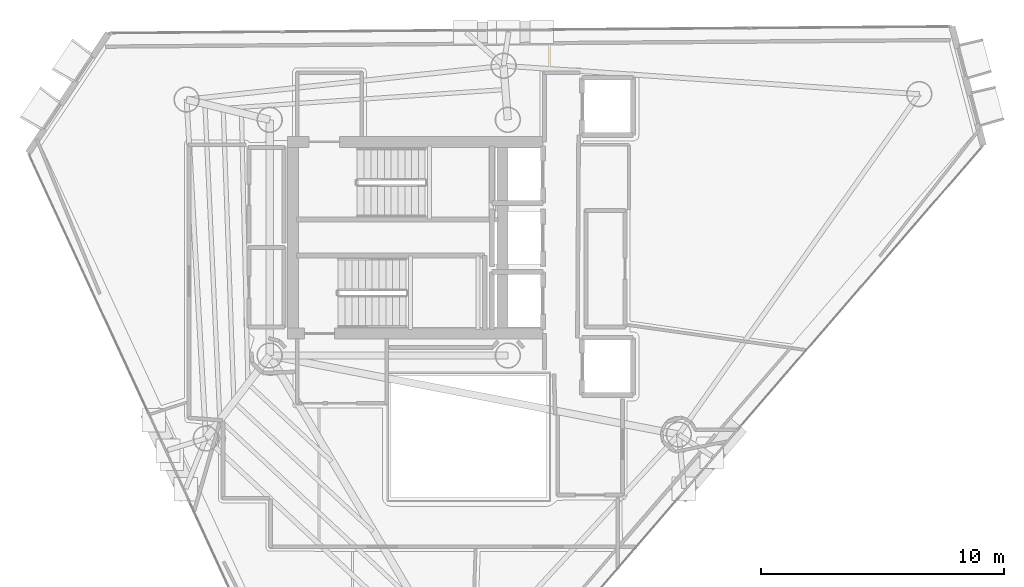
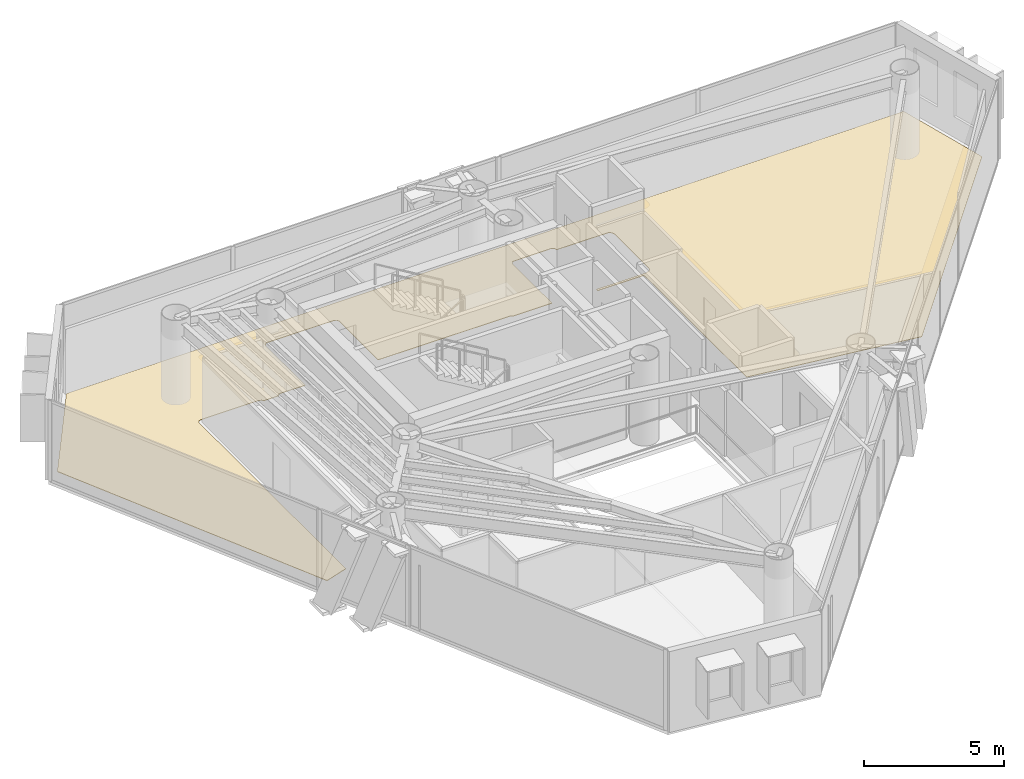
# One storey, part 20 of 21: 1 covering.
"""IFC4 building model written with IfcOpenShell, lengths in metres."""

from ifc_helpers import new_model, si_unit, direction, frame, origin, place, context, subcontext, project, spatial, polyline, outline, extrude, material, layer, layer_set, type_object, element, save


model = new_model("IFC4")

# Units and contexts
model_context = context("Model", 3, precision=1e-05, world=origin(), true_north=direction((0.0, 1.0)))
body_context = subcontext(model_context, "Body", "Model", "MODEL_VIEW")
ifc_project = project(units=[si_unit("LENGTHUNIT", "METRE"), si_unit("AREAUNIT", "SQUARE_METRE"), si_unit("VOLUMEUNIT", "CUBIC_METRE"), si_unit("PLANEANGLEUNIT", "RADIAN"), si_unit("MASSUNIT", "GRAM", prefix="KILO")], contexts=[model_context])

# Site, building, storey
site_placement = place(None, origin())
site = spatial("IfcSite", under=ifc_project, at=site_placement, CompositionType="ELEMENT")
building_placement = place(site_placement, origin())
building = spatial("IfcBuilding", under=site, at=building_placement, Name="Qianvela Tower", CompositionType="ELEMENT")
storey_placement = place(building_placement, frame((0.0, 0.0, 253.800048828125)))
storey = spatial("IfcBuildingStorey", under=building, at=storey_placement, Name="L65", CompositionType="ELEMENT", Elevation=253.800048828125)

# Covering
ifc_material = material(Name="Engineered Acoustic Oak Timber Flooring", Category="wood")
ifc_layer = layer(ifc_material, 0.02001953125)
ifc_layer_set = layer_set([ifc_layer], Name="Engineered Acoustic Oak Timber Flooring")
covering_type = type_object("IfcCoveringType", Name="COV-FLOOR-OAK-20", PredefinedType="FLOORING", material=ifc_layer_set)
covering_placement = place(storey_placement, origin())
element("IfcCovering", 1, at=covering_placement, inside=storey, type_object=covering_type, Name="L65 Finish Flooring Print Copy Kiosk L65-04", PredefinedType="FLOORING", context=body_context, shape_type="SweptSolid", body=[
    extrude(outline(polyline([(25.162841796875, 32.680419921875), (25.15576171875, 32.677001953125), (25.14892578125, 32.673095703125), (25.142578125, 32.66845703125), (25.136962890625, 32.6630859375), (25.131591796875, 32.6572265625), (25.126953125, 32.65087890625), (25.122802734375, 32.644287109375), (25.119384765625, 32.63720703125), (25.09619140625, 32.58056640625), (25.093505859375, 32.5732421875), (25.091552734375, 32.565673828125), (25.09033203125, 32.557861328125), (25.090087890625, 32.550048828125), (25.090087890625, 22.095947265625), (24.134765625, 21.78564453125), (19.19384765625, 32.478759765625), (21.895751953125, 36.512451171875), (56.55029296875, 36.782958984375), (57.5625, 32.9453125), (50.1044921875, 24.319580078125), (43.429931640625, 25.266845703125), (43.429931640625, 32.5), (43.4296875, 32.5078125), (43.428466796875, 32.515625), (43.426513671875, 32.523193359375), (43.423828125, 32.530517578125), (43.420654296875, 32.53759765625), (43.41650390625, 32.54443359375), (43.411865234375, 32.55078125), (43.406494140625, 32.556640625), (43.40087890625, 32.561767578125), (43.394287109375, 32.56640625), (43.3876953125, 32.570556640625), (43.380615234375, 32.573974609375), (43.373291015625, 32.57666015625), (43.365478515625, 32.57861328125), (43.35791015625, 32.57958984375), (43.35009765625, 32.580078125), (41.52001953125, 32.580078125), (41.52001953125, 32.679931640625), (43.580078125, 32.679931640625), (43.587158203125, 32.680419921875), (43.593994140625, 32.68115234375), (43.60107421875, 32.682861328125), (43.607666015625, 32.684814453125), (43.6142578125, 32.687744140625), (43.722412109375, 32.739013671875), (43.729248046875, 32.74267578125), (43.73583984375, 32.746826171875), (43.741943359375, 32.751953125), (43.74755859375, 32.757568359375), (43.75244140625, 32.763427734375), (43.7568359375, 32.77001953125), (43.760498046875, 32.777099609375), (43.763427734375, 32.7841796875), (43.79541015625, 32.873046875), (43.7978515625, 32.8818359375), (43.799560546875, 32.890869140625), (43.800048828125, 32.89990234375), (43.800048828125, 35.300048828125), (43.799560546875, 35.30908203125), (43.7978515625, 35.318115234375), (43.79541015625, 35.326904296875), (43.763427734375, 35.415771484375), (43.7607421875, 35.422607421875), (43.75732421875, 35.428955078125), (43.75341796875, 35.43505859375), (43.7490234375, 35.44091796875), (43.743896484375, 35.4462890625), (43.738525390625, 35.450927734375), (43.732666015625, 35.455322265625), (43.6650390625, 35.50048828125), (43.658447265625, 35.50439453125), (43.6513671875, 35.5078125), (43.64404296875, 35.510498046875), (43.636474609375, 35.512451171875), (43.628662109375, 35.513671875), (43.620849609375, 35.513916015625), (41.515625, 35.519775390625), (41.513916015625, 35.554931640625), (41.512939453125, 35.562744140625), (41.511474609375, 35.5703125), (41.509033203125, 35.577880859375), (41.506103515625, 35.585205078125), (41.50244140625, 35.591796875), (41.498046875, 35.598388671875), (41.4931640625, 35.6044921875), (41.487548828125, 35.60986328125), (41.481689453125, 35.614990234375), (41.41552734375, 35.663818359375), (41.409423828125, 35.66796875), (41.40283203125, 35.67138671875), (41.39599609375, 35.674560546875), (41.38916015625, 35.6767578125), (41.3818359375, 35.678466796875), (41.37451171875, 35.67919921875), (41.3671875, 35.6796875), (39.8349609375, 35.66650390625), (39.8271484375, 35.666015625), (39.8193359375, 35.664794921875), (39.81201171875, 35.662841796875), (39.804443359375, 35.660400390625), (39.797607421875, 35.656982421875), (39.791015625, 35.65283203125), (39.78466796875, 35.648193359375), (39.77880859375, 35.64306640625), (39.773681640625, 35.63720703125), (39.76904296875, 35.630859375), (39.764892578125, 35.624267578125), (39.7294921875, 35.5576171875), (39.72607421875, 35.550537109375), (39.723388671875, 35.543212890625), (39.721435546875, 35.53564453125), (39.720458984375, 35.52783203125), (39.719970703125, 35.52001953125), (39.719970703125, 32.719970703125), (38.125, 32.719970703125), (38.03369140625, 32.762451171875), (38.025634765625, 32.765625), (38.017333984375, 32.76806640625), (38.0087890625, 32.76953125), (38.0, 32.77001953125), (32.580078125, 32.77001953125), (32.580078125, 35.52001953125), (32.57958984375, 35.52783203125), (32.57861328125, 35.53564453125), (32.57666015625, 35.543212890625), (32.573974609375, 35.550537109375), (32.550537109375, 35.607177734375), (32.547119140625, 35.6142578125), (32.543212890625, 35.62109375), (32.538330078125, 35.627197265625), (32.533203125, 35.633056640625), (32.52734375, 35.638427734375), (32.52099609375, 35.64306640625), (32.514404296875, 35.647216796875), (32.507080078125, 35.650390625), (32.45068359375, 35.673828125), (32.443115234375, 35.676513671875), (32.435546875, 35.678466796875), (32.427734375, 35.6796875), (32.419921875, 35.679931640625), (29.684326171875, 35.678466796875), (29.676513671875, 35.677978515625), (29.668701171875, 35.677001953125), (29.6611328125, 35.675048828125), (29.65380859375, 35.67236328125), (29.646728515625, 35.6689453125), (29.639892578125, 35.6650390625), (29.633544921875, 35.660400390625), (29.627685546875, 35.655029296875), (29.62255859375, 35.649169921875), (29.55810546875, 35.57080078125), (29.553466796875, 35.564453125), (29.54931640625, 35.5576171875), (29.546142578125, 35.550537109375), (29.54345703125, 35.543212890625), (29.54150390625, 35.53564453125), (29.540283203125, 35.52783203125), (29.5400390625, 35.52001953125), (29.5400390625, 32.700439453125), (28.54296875, 32.709716796875), (28.53662109375, 32.70947265625), (28.530029296875, 32.708740234375), (28.4677734375, 32.69921875), (28.460205078125, 32.697509765625), (28.452880859375, 32.6953125), (28.446044921875, 32.6923828125), (28.439208984375, 32.688720703125), (28.432861328125, 32.6845703125), (28.427001953125, 32.6796875), (28.42138671875, 32.674560546875), (28.41650390625, 32.668701171875), (28.412109375, 32.662353515625), (28.408447265625, 32.65576171875), (28.405517578125, 32.648681640625), (28.403076171875, 32.6416015625), (28.4013671875, 32.634033203125), (28.400390625, 32.62646484375), (28.39892578125, 32.609619140625), (27.7626953125, 32.607666015625), (27.759521484375, 32.6201171875), (27.757080078125, 32.62744140625), (27.754150390625, 32.634765625), (27.75048828125, 32.6416015625), (27.74609375, 32.648193359375), (27.7412109375, 32.654296875), (27.735595703125, 32.659912109375), (27.7294921875, 32.6650390625), (27.722900390625, 32.66943359375), (27.716064453125, 32.673095703125), (27.654296875, 32.702392578125), (27.647705078125, 32.705078125), (27.64111328125, 32.707275390625), (27.634033203125, 32.708740234375), (27.627197265625, 32.709716796875), (27.6201171875, 32.7099609375), (25.25, 32.7099609375), (25.2421875, 32.709716796875), (25.234375, 32.70849609375), (25.226806640625, 32.70654296875), (25.219482421875, 32.703857421875), (25.162841796875, 32.680419921875)])), origin(), (0.0, 0.0, 1.0), 0.02001953125),
])

save(model, "model.ifc")
